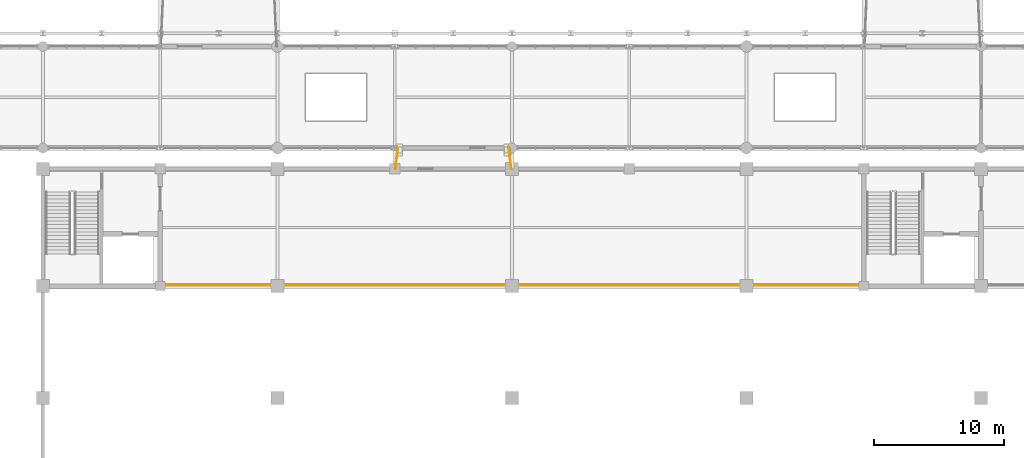
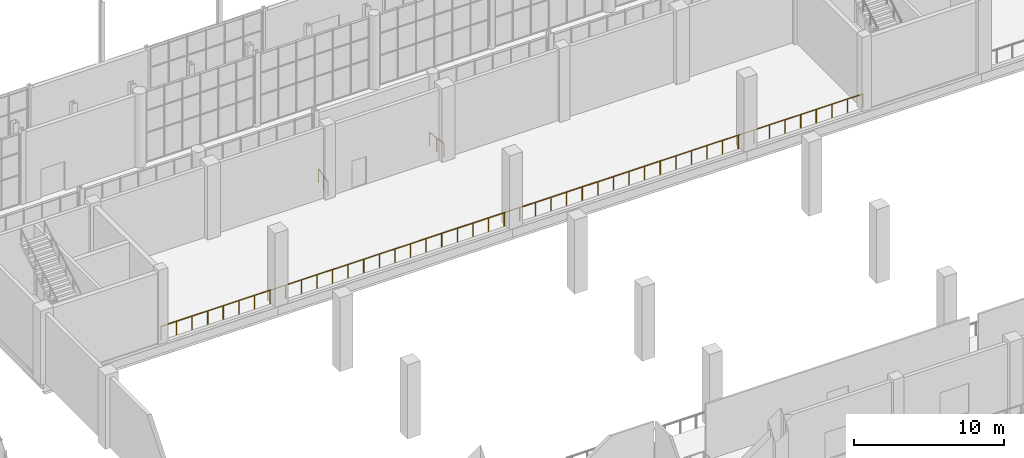
# One storey, part 146 of 159: 3 railings.
"""IFC4 building model written with IfcOpenShell, lengths in metres."""

from ifc_helpers import new_model, si_unit, direction, frame, origin, origin_2d, place, context, subcontext, project, spatial, circle, extrude, material, type_object, element, save


model = new_model("IFC4")

# Units and contexts
model_context = context("Model", 3, precision=1e-05, world=origin(), true_north=direction((0.0, 1.0)))
body_context = subcontext(model_context, "Body", "Model", "MODEL_VIEW")
ifc_project = project(units=[si_unit("LENGTHUNIT", "METRE"), si_unit("AREAUNIT", "SQUARE_METRE"), si_unit("VOLUMEUNIT", "CUBIC_METRE"), si_unit("PLANEANGLEUNIT", "RADIAN"), si_unit("MASSUNIT", "GRAM", prefix="KILO")], contexts=[model_context])

# Site, building, storey
site_placement = place(None, origin())
site = spatial("IfcSite", under=ifc_project, at=site_placement, CompositionType="ELEMENT")
building_placement = place(site_placement, origin())
building = spatial("IfcBuilding", under=site, at=building_placement, Name="Cazmaro Siding Exhibition Halls", CompositionType="ELEMENT")
storey_placement = place(building_placement, frame((0.0, 0.0, 6.0)))
storey = spatial("IfcBuildingStorey", under=building, at=storey_placement, Name="L01", CompositionType="ELEMENT", Elevation=6.0)

# Railings
ifc_material_1 = material(Name="Laminated Glass and Brushed Stainless Steel Balustrade", Category="steel")
railing_type_1 = type_object("IfcRailingType", Name="RL-BAL-01", PredefinedType="BALUSTRADE", material=ifc_material_1)
railing_1_placement = place(storey_placement, frame((99.050048828125, 53.60009765625, 0.0)))
element("IfcRailing", 1, at=railing_1_placement, inside=storey, type_object=railing_type_1, Name="Bridge SB-03 West Guard L01 RL-BAL-01 RL-G023", PredefinedType="BALUSTRADE", context=body_context, shape_type="SweptSolid", body=[
    extrude(circle(Radius=0.02392578125, at=origin_2d()), frame((0.0, 0.0, 1.09619140625), z_axis=(0.124016097791, 0.992280206136, 0.0), x_axis=(-0.992280206136, 0.124016097791, 0.0)), (0.0, 0.0, 1.0), 1.6123046875),
    extrude(circle(Radius=0.02099609375, at=origin_2d()), origin(), (0.0, 0.0, 1.0), 1.072021484375),
    extrude(circle(Radius=0.02099609375, at=origin_2d()), frame((0.10009765625, 0.7998046875, 0.0)), (0.0, 0.0, 1.0), 1.072021484375),
    extrude(circle(Radius=0.02099609375, at=origin_2d()), frame((0.199951171875, 1.599853515625, 0.0)), (0.0, 0.0, 1.0), 1.072021484375),
])
railing_2_placement = place(storey_placement, frame((107.949951171875, 53.60009765625, 0.0)))
element("IfcRailing", 2, at=railing_2_placement, inside=storey, type_object=railing_type_1, Name="Bridge SB-03 East Guard L01 RL-BAL-01 RL-G024", PredefinedType="BALUSTRADE", context=body_context, shape_type="SweptSolid", body=[
    extrude(circle(Radius=0.02392578125, at=origin_2d()), frame((0.0, 0.0, 1.09619140625), z_axis=(-0.124016097791, 0.992280206136, 0.0), x_axis=(-0.992280206136, -0.124016097791, 0.0)), (0.0, 0.0, 1.0), 1.6123046875),
    extrude(circle(Radius=0.02099609375, at=origin_2d()), origin(), (0.0, 0.0, 1.0), 1.072021484375),
    extrude(circle(Radius=0.02099609375, at=origin_2d()), frame((-0.10009765625, 0.7998046875, 0.0)), (0.0, 0.0, 1.0), 1.072021484375),
    extrude(circle(Radius=0.02099609375, at=origin_2d()), frame((-0.199951171875, 1.599853515625, 0.0)), (0.0, 0.0, 1.0), 1.072021484375),
])
ifc_material_2 = material(Name="Interior Laminated Glass and Brushed Stainless Steel Balustrade", Category="steel")
railing_type_2 = type_object("IfcRailingType", Name="RL-BAL-02", PredefinedType="BALUSTRADE", material=ifc_material_2)
railing_3_placement = place(storey_placement, frame((81.050048828125, 44.64990234375, 0.0)))
element("IfcRailing", 3, at=railing_3_placement, inside=storey, type_object=railing_type_2, Name="Hall B1 North Mezzanine Overlook Guard West RL-BAL-02 RL-G052", PredefinedType="BALUSTRADE", context=body_context, shape_type="SweptSolid", body=[
    extrude(circle(Radius=0.02392578125, at=origin_2d()), frame((0.0, 0.0, 1.09619140625), z_axis=(1.0, 0.0, 0.0), x_axis=(0.0, 1.0, 0.0)), (0.0, 0.0, 1.0), 53.89990234375),
    extrude(circle(Radius=0.02099609375, at=origin_2d()), origin(), (0.0, 0.0, 1.0), 1.072021484375),
    extrude(circle(Radius=0.02099609375, at=origin_2d()), frame((1.19775390625, 0.0, 0.0)), (0.0, 0.0, 1.0), 1.072021484375),
    extrude(circle(Radius=0.02099609375, at=origin_2d()), frame((2.3955078125, 0.0, 0.0)), (0.0, 0.0, 1.0), 1.072021484375),
    extrude(circle(Radius=0.02099609375, at=origin_2d()), frame((3.59326171875, 0.0, 0.0)), (0.0, 0.0, 1.0), 1.072021484375),
    extrude(circle(Radius=0.02099609375, at=origin_2d()), frame((4.791015625, 0.0, 0.0)), (0.0, 0.0, 1.0), 1.072021484375),
    extrude(circle(Radius=0.02099609375, at=origin_2d()), frame((5.98876953125, 0.0, 0.0)), (0.0, 0.0, 1.0), 1.072021484375),
    extrude(circle(Radius=0.02099609375, at=origin_2d()), frame((7.186767578125, 0.0, 0.0)), (0.0, 0.0, 1.0), 1.072021484375),
    extrude(circle(Radius=0.02099609375, at=origin_2d()), frame((8.384521484375, 0.0, 0.0)), (0.0, 0.0, 1.0), 1.072021484375),
    extrude(circle(Radius=0.02099609375, at=origin_2d()), frame((9.582275390625, 0.0, 0.0)), (0.0, 0.0, 1.0), 1.072021484375),
    extrude(circle(Radius=0.02099609375, at=origin_2d()), frame((10.780029296875, 0.0, 0.0)), (0.0, 0.0, 1.0), 1.072021484375),
    extrude(circle(Radius=0.02099609375, at=origin_2d()), frame((11.977783203125, 0.0, 0.0)), (0.0, 0.0, 1.0), 1.072021484375),
    extrude(circle(Radius=0.02099609375, at=origin_2d()), frame((13.175537109375, 0.0, 0.0)), (0.0, 0.0, 1.0), 1.072021484375),
    extrude(circle(Radius=0.02099609375, at=origin_2d()), frame((14.373291015625, 0.0, 0.0)), (0.0, 0.0, 1.0), 1.072021484375),
    extrude(circle(Radius=0.02099609375, at=origin_2d()), frame((15.571044921875, 0.0, 0.0)), (0.0, 0.0, 1.0), 1.072021484375),
    extrude(circle(Radius=0.02099609375, at=origin_2d()), frame((16.768798828125, 0.0, 0.0)), (0.0, 0.0, 1.0), 1.072021484375),
    extrude(circle(Radius=0.02099609375, at=origin_2d()), frame((17.966552734375, 0.0, 0.0)), (0.0, 0.0, 1.0), 1.072021484375),
    extrude(circle(Radius=0.02099609375, at=origin_2d()), frame((19.164306640625, 0.0, 0.0)), (0.0, 0.0, 1.0), 1.072021484375),
    extrude(circle(Radius=0.02099609375, at=origin_2d()), frame((20.3623046875, 0.0, 0.0)), (0.0, 0.0, 1.0), 1.072021484375),
    extrude(circle(Radius=0.02099609375, at=origin_2d()), frame((21.56005859375, 0.0, 0.0)), (0.0, 0.0, 1.0), 1.072021484375),
    extrude(circle(Radius=0.02099609375, at=origin_2d()), frame((22.7578125, 0.0, 0.0)), (0.0, 0.0, 1.0), 1.072021484375),
    extrude(circle(Radius=0.02099609375, at=origin_2d()), frame((23.95556640625, 0.0, 0.0)), (0.0, 0.0, 1.0), 1.072021484375),
    extrude(circle(Radius=0.02099609375, at=origin_2d()), frame((25.1533203125, 0.0, 0.0)), (0.0, 0.0, 1.0), 1.072021484375),
    extrude(circle(Radius=0.02099609375, at=origin_2d()), frame((26.35107421875, 0.0, 0.0)), (0.0, 0.0, 1.0), 1.072021484375),
    extrude(circle(Radius=0.02099609375, at=origin_2d()), frame((27.548828125, 0.0, 0.0)), (0.0, 0.0, 1.0), 1.072021484375),
    extrude(circle(Radius=0.02099609375, at=origin_2d()), frame((28.74658203125, 0.0, 0.0)), (0.0, 0.0, 1.0), 1.072021484375),
    extrude(circle(Radius=0.02099609375, at=origin_2d()), frame((29.9443359375, 0.0, 0.0)), (0.0, 0.0, 1.0), 1.072021484375),
    extrude(circle(Radius=0.02099609375, at=origin_2d()), frame((31.14208984375, 0.0, 0.0)), (0.0, 0.0, 1.0), 1.072021484375),
    extrude(circle(Radius=0.02099609375, at=origin_2d()), frame((32.33984375, 0.0, 0.0)), (0.0, 0.0, 1.0), 1.072021484375),
    extrude(circle(Radius=0.02099609375, at=origin_2d()), frame((33.53759765625, 0.0, 0.0)), (0.0, 0.0, 1.0), 1.072021484375),
    extrude(circle(Radius=0.02099609375, at=origin_2d()), frame((34.735595703125, 0.0, 0.0)), (0.0, 0.0, 1.0), 1.072021484375),
    extrude(circle(Radius=0.02099609375, at=origin_2d()), frame((35.933349609375, 0.0, 0.0)), (0.0, 0.0, 1.0), 1.072021484375),
    extrude(circle(Radius=0.02099609375, at=origin_2d()), frame((37.131103515625, 0.0, 0.0)), (0.0, 0.0, 1.0), 1.072021484375),
    extrude(circle(Radius=0.02099609375, at=origin_2d()), frame((38.328857421875, 0.0, 0.0)), (0.0, 0.0, 1.0), 1.072021484375),
    extrude(circle(Radius=0.02099609375, at=origin_2d()), frame((39.526611328125, 0.0, 0.0)), (0.0, 0.0, 1.0), 1.072021484375),
    extrude(circle(Radius=0.02099609375, at=origin_2d()), frame((40.724365234375, 0.0, 0.0)), (0.0, 0.0, 1.0), 1.072021484375),
    extrude(circle(Radius=0.02099609375, at=origin_2d()), frame((41.922119140625, 0.0, 0.0)), (0.0, 0.0, 1.0), 1.072021484375),
    extrude(circle(Radius=0.02099609375, at=origin_2d()), frame((43.119873046875, 0.0, 0.0)), (0.0, 0.0, 1.0), 1.072021484375),
    extrude(circle(Radius=0.02099609375, at=origin_2d()), frame((44.317626953125, 0.0, 0.0)), (0.0, 0.0, 1.0), 1.072021484375),
    extrude(circle(Radius=0.02099609375, at=origin_2d()), frame((45.515380859375, 0.0, 0.0)), (0.0, 0.0, 1.0), 1.072021484375),
    extrude(circle(Radius=0.02099609375, at=origin_2d()), frame((46.713134765625, 0.0, 0.0)), (0.0, 0.0, 1.0), 1.072021484375),
    extrude(circle(Radius=0.02099609375, at=origin_2d()), frame((47.9111328125, 0.0, 0.0)), (0.0, 0.0, 1.0), 1.072021484375),
    extrude(circle(Radius=0.02099609375, at=origin_2d()), frame((49.10888671875, 0.0, 0.0)), (0.0, 0.0, 1.0), 1.072021484375),
    extrude(circle(Radius=0.02099609375, at=origin_2d()), frame((50.306640625, 0.0, 0.0)), (0.0, 0.0, 1.0), 1.072021484375),
    extrude(circle(Radius=0.02099609375, at=origin_2d()), frame((51.50439453125, 0.0, 0.0)), (0.0, 0.0, 1.0), 1.072021484375),
    extrude(circle(Radius=0.02099609375, at=origin_2d()), frame((52.7021484375, 0.0, 0.0)), (0.0, 0.0, 1.0), 1.072021484375),
    extrude(circle(Radius=0.02099609375, at=origin_2d()), frame((53.89990234375, 0.0, 0.0)), (0.0, 0.0, 1.0), 1.072021484375),
])

save(model, "model.ifc")
